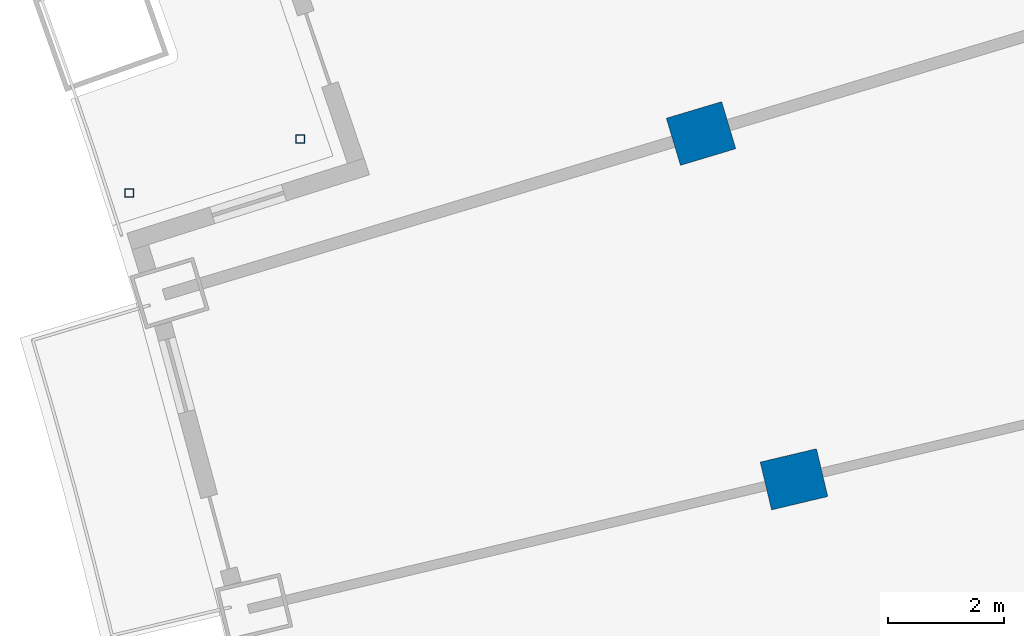
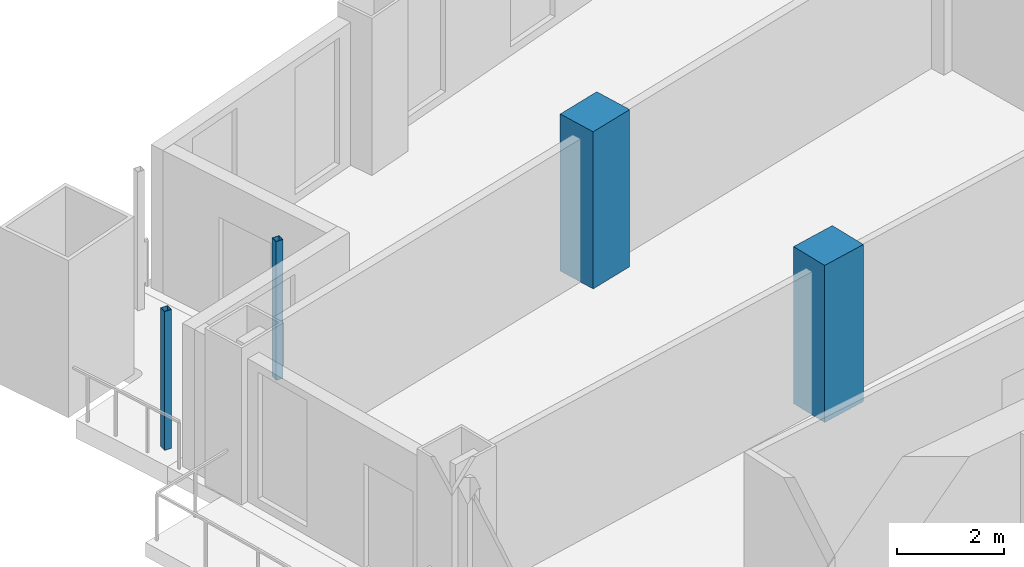
# One storey, part 7 of 25: 4 columns.
"""IFC4 building model written with IfcOpenShell, lengths in metres."""

from ifc_helpers import new_model, si_unit, direction, frame, origin, origin_2d, place, context, subcontext, project, spatial, rectangle, hollow_rectangle, extrude, material, material_profile, profile_set, type_object, element, save


model = new_model("IFC4")

# Units and contexts
model_context = context("Model", 3, precision=1e-05, world=origin(), true_north=direction((0.0, 1.0)))
body_context = subcontext(model_context, "Body", "Model", "MODEL_VIEW")
ifc_project = project(units=[si_unit("LENGTHUNIT", "METRE"), si_unit("AREAUNIT", "SQUARE_METRE"), si_unit("VOLUMEUNIT", "CUBIC_METRE"), si_unit("PLANEANGLEUNIT", "RADIAN"), si_unit("MASSUNIT", "GRAM", prefix="KILO")], contexts=[model_context])

# Site, building, storey
site_placement = place(None, origin())
site = spatial("IfcSite", under=ifc_project, at=site_placement, CompositionType="ELEMENT")
building_placement = place(site_placement, origin())
building = spatial("IfcBuilding", under=site, at=building_placement, Name="Alderwake Tower", CompositionType="ELEMENT")
storey_placement = place(building_placement, frame((0.0, 0.0, 86.0)))
storey = spatial("IfcBuildingStorey", under=building, at=storey_placement, Name="L20", CompositionType="ELEMENT", Elevation=86.0)

# Columns
ifc_material_1 = material(Name="Concrete C70/85", Category="concrete")
ifc_material_profile_1 = material_profile(ifc_material_1, rectangle(XDim=0.85009765625, YDim=1.0, at=origin_2d()), Name="RC 1000X850")
ifc_profile_set_1 = profile_set([ifc_material_profile_1], Name="Concrete C70/85")
column_type_1 = type_object("IfcColumnType", Name="Interior column Z2", PredefinedType="COLUMN", material=ifc_profile_set_1)
for number, where, z_axis, x_axis, name in (
    (1, (23.322021484375, 85.555908203125, 0.0), (0.0, 0.0, 1.0), (-0.231221547198, 0.972901123502, 0.0), "Column R11-C1"),
    (2, (21.714599609375, 91.53759765625, 0.0), (0.0, 0.0, 1.0), (-0.287549418125, 0.957765802342, 0.0), "Column R12-C1"),
):
    element("IfcColumn", number, at=place(storey_placement, frame(where, z_axis=z_axis, x_axis=x_axis)), inside=storey, type_object=column_type_1, Name=name, PredefinedType="COLUMN", context=body_context, shape_type="SweptSolid", body=[
        extrude(rectangle(XDim=0.85009765625, YDim=1.0, at=origin_2d()), origin(), (0.0, 0.0, 1.0), 3.60009765625),
    ])
ifc_material_2 = material(Name="Steel ASTM A500 Grade C", Category="steel")
ifc_material_profile_2 = material_profile(ifc_material_2, hollow_rectangle(XDim=0.15234375, YDim=0.15234375, WallThickness=0.0087890625, at=origin_2d()), Name="HSS6X6X3/8")
ifc_profile_set_2 = profile_set([ifc_material_profile_2], Name="Steel ASTM A500 Grade C")
column_type_2 = type_object("IfcColumnType", Name="Light post HSS6X6X3/8", PredefinedType="COLUMN", material=ifc_profile_set_2)
for number, where, z_axis, x_axis, name in (
    (3, (11.82568359375, 90.507080078125, 0.0), (0.0, 0.0, 1.0), (1.0, 0.0, 0.0), "Terrace post RN1"),
    (4, (14.781494140625, 91.441650390625, 0.0), (0.0, 0.0, 1.0), (1.0, 0.0, 0.0), "Terrace post RN3"),
):
    element("IfcColumn", number, at=place(storey_placement, frame(where, z_axis=z_axis, x_axis=x_axis)), inside=storey, type_object=column_type_2, Name=name, PredefinedType="COLUMN", context=body_context, shape_type="SweptSolid", body=[
        extrude(hollow_rectangle(XDim=0.15234375, YDim=0.15234375, WallThickness=0.0087890625, at=origin_2d()), origin(), (0.0, 0.0, 1.0), 3.179931640625),
    ])

save(model, "model.ifc")
